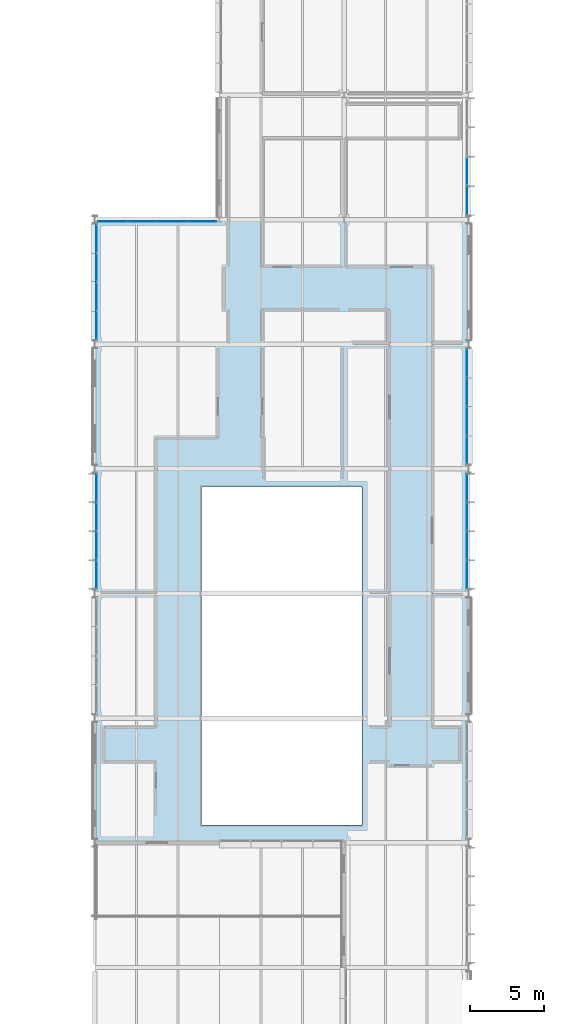
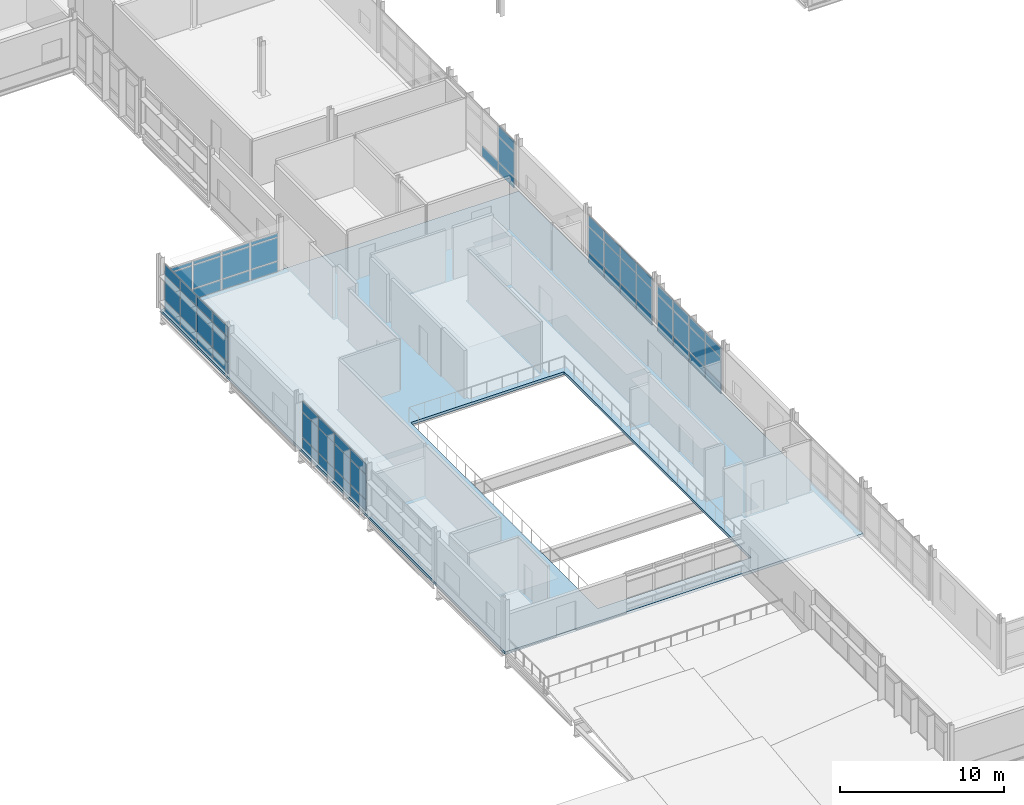
# One storey, part 99 of 131: 64 plates, 1 slab, 6 elements without a shape of their own.
"""IFC4 building model written with IfcOpenShell, lengths in metres."""

from ifc_helpers import new_model, si_unit, direction, frame, origin, origin_2d, place, context, subcontext, project, spatial, polyline, rectangle, outline, extrude, material, layer, layer_set, type_object, element, aggregate, save


model = new_model("IFC4")

# Units and contexts
model_context = context("Model", 3, precision=1e-05, world=origin(), true_north=direction((0.0, 1.0)))
body_context = subcontext(model_context, "Body", "Model", "MODEL_VIEW")
ifc_project = project(units=[si_unit("LENGTHUNIT", "METRE"), si_unit("AREAUNIT", "SQUARE_METRE"), si_unit("VOLUMEUNIT", "CUBIC_METRE"), si_unit("PLANEANGLEUNIT", "RADIAN"), si_unit("MASSUNIT", "GRAM", prefix="KILO")], contexts=[model_context])

# Site, building, storey
site_placement = place(None, origin())
site = spatial("IfcSite", under=ifc_project, at=site_placement, CompositionType="ELEMENT")
building_placement = place(site_placement, origin())
building = spatial("IfcBuilding", under=site, at=building_placement, Name="Mersafa Astral City Hall", CompositionType="ELEMENT")
storey_placement = place(building_placement, frame((0.0, 0.0, 13.949951171875)))
storey = spatial("IfcBuildingStorey", under=building, at=storey_placement, Name="L03", CompositionType="ELEMENT", Elevation=13.949951171875)

# Curtain wall, plates
ifc_material_1 = material(Name="Anodised bronze aluminium framing", Category="aluminium")
curtain_wall_type_1 = type_object("IfcCurtainWallType", Name="ENV-CW-1", PredefinedType="USERDEFINED", material=ifc_material_1)
curtain_wall_1_placement = place(storey_placement, origin())
curtain_wall_1 = element("IfcCurtainWall", 1, at=curtain_wall_1_placement, inside=storey, type_object=curtain_wall_type_1, Name="L03 Unitised solar curtain wall 156", ObjectType="UNITISED CURTAIN WALL", PredefinedType="USERDEFINED")
ifc_material_2 = material(Name="Solar control low-e double glazing", Category="glass")
ifc_layer_1 = layer(ifc_material_2, 0.028076171875, Name="Solar control low-e double glazing")
ifc_layer_set_1 = layer_set([ifc_layer_1], Name="Solar control low-e double glazing — ENV-CW-PNL-GLZ-1")
plate_type_1 = type_object("IfcPlateType", Name="ENV-CW-PNL-GLZ-1", PredefinedType="CURTAIN_PANEL", material=ifc_layer_set_1)
plate_1_placement = place(storey_placement, frame((117.47998046875, 93.692138671875, 0.05810546875), z_axis=(0.0, 0.0, 1.0), x_axis=(0.0, 1.0, 0.0)))
plate_1 = element("IfcPlate", 2, at=plate_1_placement, type_object=plate_type_1, Name="CW-1 panel 1.1", PredefinedType="CURTAIN_PANEL", context=body_context, shape_type="SweptSolid", body=[
    extrude(rectangle(XDim=1.89013671875, YDim=0.028076171875, at=origin_2d()), origin(), (0.0, 0.0, 1.0), 0.761962890625),
])
plate_2_placement = place(storey_placement, frame((117.47998046875, 93.692138671875, 0.8798828125), z_axis=(0.0, 0.0, 1.0), x_axis=(0.0, 1.0, 0.0)))
plate_2 = element("IfcPlate", 3, at=plate_2_placement, type_object=plate_type_1, Name="CW-1 panel 1.2", PredefinedType="CURTAIN_PANEL", context=body_context, shape_type="SweptSolid", body=[
    extrude(rectangle(XDim=1.89013671875, YDim=0.028076171875, at=origin_2d()), origin(), (0.0, 0.0, 1.0), 1.840087890625),
])
plate_3_placement = place(storey_placement, frame((117.47998046875, 93.692138671875, 2.780029296875), z_axis=(0.0, 0.0, 1.0), x_axis=(0.0, 1.0, 0.0)))
plate_3 = element("IfcPlate", 4, at=plate_3_placement, type_object=plate_type_1, Name="CW-1 panel 1.3", PredefinedType="CURTAIN_PANEL", context=body_context, shape_type="SweptSolid", body=[
    extrude(rectangle(XDim=1.89013671875, YDim=0.028076171875, at=origin_2d()), origin(), (0.0, 0.0, 1.0), 0.751953125),
])
plate_4_placement = place(storey_placement, frame((117.47998046875, 95.657470703125, 0.05810546875), z_axis=(0.0, 0.0, 1.0), x_axis=(0.0, 1.0, 0.0)))
plate_4 = element("IfcPlate", 5, at=plate_4_placement, type_object=plate_type_1, Name="CW-1 panel 2.1", PredefinedType="CURTAIN_PANEL", context=body_context, shape_type="SweptSolid", body=[
    extrude(rectangle(XDim=1.920166015625, YDim=0.028076171875, at=origin_2d()), origin(), (0.0, 0.0, 1.0), 0.761962890625),
])
aggregate(curtain_wall_1, [plate_1, plate_2, plate_3, plate_4])

curtain_wall_type_2 = type_object("IfcCurtainWallType", Name="ENV-CW-5", PredefinedType="USERDEFINED", material=ifc_material_1)
curtain_wall_2_placement = place(storey_placement, origin())
curtain_wall_2 = element("IfcCurtainWall", 6, at=curtain_wall_2_placement, inside=storey, type_object=curtain_wall_type_2, Name="L03 Unitised solar curtain wall 184", ObjectType="UNITISED CURTAIN WALL", PredefinedType="USERDEFINED")
plate_5_placement = place(storey_placement, frame((99.613525390625, 92.280029296875, 0.05810546875), z_axis=(0.0, 0.0, 1.0), x_axis=(-1.0, 0.0, 0.0)))
plate_5 = element("IfcPlate", 7, at=plate_5_placement, type_object=plate_type_1, Name="CW-5 panel 1.1", PredefinedType="CURTAIN_PANEL", context=body_context, shape_type="SweptSolid", body=[
    extrude(rectangle(XDim=1.928955078125, YDim=0.028076171875, at=origin_2d()), origin(), (0.0, 0.0, 1.0), 0.761962890625),
])
plate_6_placement = place(storey_placement, frame((99.613525390625, 92.280029296875, 0.8798828125), z_axis=(0.0, 0.0, 1.0), x_axis=(-1.0, 0.0, 0.0)))
plate_6 = element("IfcPlate", 8, at=plate_6_placement, type_object=plate_type_1, Name="CW-5 panel 1.2", PredefinedType="CURTAIN_PANEL", context=body_context, shape_type="SweptSolid", body=[
    extrude(rectangle(XDim=1.928955078125, YDim=0.028076171875, at=origin_2d()), origin(), (0.0, 0.0, 1.0), 1.701904296875),
])
plate_7_placement = place(storey_placement, frame((99.613525390625, 92.280029296875, 2.64208984375), z_axis=(0.0, 0.0, 1.0), x_axis=(-1.0, 0.0, 0.0)))
plate_7 = element("IfcPlate", 9, at=plate_7_placement, type_object=plate_type_1, Name="CW-5 panel 1.3", PredefinedType="CURTAIN_PANEL", context=body_context, shape_type="SweptSolid", body=[
    extrude(rectangle(XDim=1.928955078125, YDim=0.028076171875, at=origin_2d()), origin(), (0.0, 0.0, 1.0), 0.260009765625),
])
plate_8_placement = place(storey_placement, frame((97.609619140625, 92.280029296875, 0.05810546875), z_axis=(0.0, 0.0, 1.0), x_axis=(-1.0, 0.0, 0.0)))
plate_8 = element("IfcPlate", 10, at=plate_8_placement, type_object=plate_type_1, Name="CW-5 panel 2.1", PredefinedType="CURTAIN_PANEL", context=body_context, shape_type="SweptSolid", body=[
    extrude(rectangle(XDim=1.958984375, YDim=0.028076171875, at=origin_2d()), origin(), (0.0, 0.0, 1.0), 0.761962890625),
])
plate_9_placement = place(storey_placement, frame((97.609619140625, 92.280029296875, 0.8798828125), z_axis=(0.0, 0.0, 1.0), x_axis=(-1.0, 0.0, 0.0)))
plate_9 = element("IfcPlate", 11, at=plate_9_placement, type_object=plate_type_1, Name="CW-5 panel 2.2", PredefinedType="CURTAIN_PANEL", context=body_context, shape_type="SweptSolid", body=[
    extrude(rectangle(XDim=1.958984375, YDim=0.028076171875, at=origin_2d()), origin(), (0.0, 0.0, 1.0), 1.701904296875),
])
plate_10_placement = place(storey_placement, frame((97.609619140625, 92.280029296875, 2.64208984375), z_axis=(0.0, 0.0, 1.0), x_axis=(-1.0, 0.0, 0.0)))
plate_10 = element("IfcPlate", 12, at=plate_10_placement, type_object=plate_type_1, Name="CW-5 panel 2.3", PredefinedType="CURTAIN_PANEL", context=body_context, shape_type="SweptSolid", body=[
    extrude(rectangle(XDim=1.958984375, YDim=0.028076171875, at=origin_2d()), origin(), (0.0, 0.0, 1.0), 0.260009765625),
])
plate_11_placement = place(storey_placement, frame((95.590576171875, 92.280029296875, 0.05810546875), z_axis=(0.0, 0.0, 1.0), x_axis=(-1.0, 0.0, 0.0)))
plate_11 = element("IfcPlate", 13, at=plate_11_placement, type_object=plate_type_1, Name="CW-5 panel 3.1", PredefinedType="CURTAIN_PANEL", context=body_context, shape_type="SweptSolid", body=[
    extrude(rectangle(XDim=1.958984375, YDim=0.028076171875, at=origin_2d()), origin(), (0.0, 0.0, 1.0), 0.761962890625),
])
plate_12_placement = place(storey_placement, frame((95.590576171875, 92.280029296875, 0.8798828125), z_axis=(0.0, 0.0, 1.0), x_axis=(-1.0, 0.0, 0.0)))
plate_12 = element("IfcPlate", 14, at=plate_12_placement, type_object=plate_type_1, Name="CW-5 panel 3.2", PredefinedType="CURTAIN_PANEL", context=body_context, shape_type="SweptSolid", body=[
    extrude(rectangle(XDim=1.958984375, YDim=0.028076171875, at=origin_2d()), origin(), (0.0, 0.0, 1.0), 1.701904296875),
])
plate_13_placement = place(storey_placement, frame((95.590576171875, 92.280029296875, 2.64208984375), z_axis=(0.0, 0.0, 1.0), x_axis=(-1.0, 0.0, 0.0)))
plate_13 = element("IfcPlate", 15, at=plate_13_placement, type_object=plate_type_1, Name="CW-5 panel 3.3", PredefinedType="CURTAIN_PANEL", context=body_context, shape_type="SweptSolid", body=[
    extrude(rectangle(XDim=1.958984375, YDim=0.028076171875, at=origin_2d()), origin(), (0.0, 0.0, 1.0), 0.260009765625),
])
plate_14_placement = place(storey_placement, frame((93.58642578125, 92.280029296875, 0.05810546875), z_axis=(0.0, 0.0, 1.0), x_axis=(-1.0, 0.0, 0.0)))
plate_14 = element("IfcPlate", 16, at=plate_14_placement, type_object=plate_type_1, Name="CW-5 panel 4.1", PredefinedType="CURTAIN_PANEL", context=body_context, shape_type="SweptSolid", body=[
    extrude(rectangle(XDim=1.928955078125, YDim=0.028076171875, at=origin_2d()), origin(), (0.0, 0.0, 1.0), 0.761962890625),
])
plate_15_placement = place(storey_placement, frame((93.58642578125, 92.280029296875, 0.8798828125), z_axis=(0.0, 0.0, 1.0), x_axis=(-1.0, 0.0, 0.0)))
plate_15 = element("IfcPlate", 17, at=plate_15_placement, type_object=plate_type_1, Name="CW-5 panel 4.2", PredefinedType="CURTAIN_PANEL", context=body_context, shape_type="SweptSolid", body=[
    extrude(rectangle(XDim=1.928955078125, YDim=0.028076171875, at=origin_2d()), origin(), (0.0, 0.0, 1.0), 1.701904296875),
])
plate_16_placement = place(storey_placement, frame((93.58642578125, 92.280029296875, 2.64208984375), z_axis=(0.0, 0.0, 1.0), x_axis=(-1.0, 0.0, 0.0)))
plate_16 = element("IfcPlate", 18, at=plate_16_placement, type_object=plate_type_1, Name="CW-5 panel 4.3", PredefinedType="CURTAIN_PANEL", context=body_context, shape_type="SweptSolid", body=[
    extrude(rectangle(XDim=1.928955078125, YDim=0.028076171875, at=origin_2d()), origin(), (0.0, 0.0, 1.0), 0.260009765625),
])
aggregate(curtain_wall_2, [plate_5, plate_6, plate_7, plate_8, plate_9, plate_10, plate_11, plate_12, plate_13, plate_14, plate_15, plate_16])

curtain_wall_type_3 = type_object("IfcCurtainWallType", Name="ENV-CW-6", PredefinedType="USERDEFINED", material=ifc_material_1)
curtain_wall_3_placement = place(storey_placement, origin())
curtain_wall_3 = element("IfcCurtainWall", 19, at=curtain_wall_3_placement, inside=storey, type_object=curtain_wall_type_3, Name="L03 Unitised solar curtain wall 185", ObjectType="UNITISED CURTAIN WALL", PredefinedType="USERDEFINED")
ifc_layer_2 = layer(ifc_material_2, 0.031982421875, Name="Solar control low-e double glazing")
ifc_layer_set_2 = layer_set([ifc_layer_2], Name="Solar control low-e double glazing — ENV-CW-PNL-GLZ-2")
plate_type_2 = type_object("IfcPlateType", Name="ENV-CW-PNL-GLZ-2", PredefinedType="CURTAIN_PANEL", material=ifc_layer_set_2)
plate_17_placement = place(storey_placement, frame((92.52001953125, 91.11962890625, 0.05810546875), z_axis=(0.0, 0.0, 1.0), x_axis=(0.0, -1.0, 0.0)))
plate_17 = element("IfcPlate", 20, at=plate_17_placement, type_object=plate_type_2, Name="CW-6 panel 1.1", PredefinedType="CURTAIN_PANEL", context=body_context, shape_type="SweptSolid", body=[
    extrude(rectangle(XDim=1.866455078125, YDim=0.031982421875, at=origin_2d()), origin(), (0.0, 0.0, 1.0), 0.761962890625),
])
plate_18_placement = place(storey_placement, frame((92.52001953125, 91.11962890625, 0.8798828125), z_axis=(0.0, 0.0, 1.0), x_axis=(0.0, -1.0, 0.0)))
plate_18 = element("IfcPlate", 21, at=plate_18_placement, type_object=plate_type_2, Name="CW-6 panel 1.2", PredefinedType="CURTAIN_PANEL", context=body_context, shape_type="SweptSolid", body=[
    extrude(rectangle(XDim=1.866455078125, YDim=0.031982421875, at=origin_2d()), origin(), (0.0, 0.0, 1.0), 1.840087890625),
])
plate_19_placement = place(storey_placement, frame((92.52001953125, 91.11962890625, 2.780029296875), z_axis=(0.0, 0.0, 1.0), x_axis=(0.0, -1.0, 0.0)))
plate_19 = element("IfcPlate", 22, at=plate_19_placement, type_object=plate_type_2, Name="CW-6 panel 1.3", PredefinedType="CURTAIN_PANEL", context=body_context, shape_type="SweptSolid", body=[
    extrude(rectangle(XDim=1.866455078125, YDim=0.031982421875, at=origin_2d()), origin(), (0.0, 0.0, 1.0), 0.751953125),
])
plate_20_placement = place(storey_placement, frame((92.52001953125, 89.17822265625, 0.05810546875), z_axis=(0.0, 0.0, 1.0), x_axis=(0.0, -1.0, 0.0)))
plate_20 = element("IfcPlate", 23, at=plate_20_placement, type_object=plate_type_2, Name="CW-6 panel 2.1", PredefinedType="CURTAIN_PANEL", context=body_context, shape_type="SweptSolid", body=[
    extrude(rectangle(XDim=1.896484375, YDim=0.031982421875, at=origin_2d()), origin(), (0.0, 0.0, 1.0), 0.761962890625),
])
plate_21_placement = place(storey_placement, frame((92.52001953125, 89.17822265625, 0.8798828125), z_axis=(0.0, 0.0, 1.0), x_axis=(0.0, -1.0, 0.0)))
plate_21 = element("IfcPlate", 24, at=plate_21_placement, type_object=plate_type_2, Name="CW-6 panel 2.2", PredefinedType="CURTAIN_PANEL", context=body_context, shape_type="SweptSolid", body=[
    extrude(rectangle(XDim=1.896484375, YDim=0.031982421875, at=origin_2d()), origin(), (0.0, 0.0, 1.0), 1.840087890625),
])
plate_22_placement = place(storey_placement, frame((92.52001953125, 89.17822265625, 2.780029296875), z_axis=(0.0, 0.0, 1.0), x_axis=(0.0, -1.0, 0.0)))
plate_22 = element("IfcPlate", 25, at=plate_22_placement, type_object=plate_type_2, Name="CW-6 panel 2.3", PredefinedType="CURTAIN_PANEL", context=body_context, shape_type="SweptSolid", body=[
    extrude(rectangle(XDim=1.896484375, YDim=0.031982421875, at=origin_2d()), origin(), (0.0, 0.0, 1.0), 0.751953125),
])
plate_23_placement = place(storey_placement, frame((92.52001953125, 87.2216796875, 0.05810546875), z_axis=(0.0, 0.0, 1.0), x_axis=(0.0, -1.0, 0.0)))
plate_23 = element("IfcPlate", 26, at=plate_23_placement, type_object=plate_type_2, Name="CW-6 panel 3.1", PredefinedType="CURTAIN_PANEL", context=body_context, shape_type="SweptSolid", body=[
    extrude(rectangle(XDim=1.896484375, YDim=0.031982421875, at=origin_2d()), origin(), (0.0, 0.0, 1.0), 0.761962890625),
])
plate_24_placement = place(storey_placement, frame((92.52001953125, 87.2216796875, 0.8798828125), z_axis=(0.0, 0.0, 1.0), x_axis=(0.0, -1.0, 0.0)))
plate_24 = element("IfcPlate", 27, at=plate_24_placement, type_object=plate_type_2, Name="CW-6 panel 3.2", PredefinedType="CURTAIN_PANEL", context=body_context, shape_type="SweptSolid", body=[
    extrude(rectangle(XDim=1.896484375, YDim=0.031982421875, at=origin_2d()), origin(), (0.0, 0.0, 1.0), 1.840087890625),
])
plate_25_placement = place(storey_placement, frame((92.52001953125, 87.2216796875, 2.780029296875), z_axis=(0.0, 0.0, 1.0), x_axis=(0.0, -1.0, 0.0)))
plate_25 = element("IfcPlate", 28, at=plate_25_placement, type_object=plate_type_2, Name="CW-6 panel 3.3", PredefinedType="CURTAIN_PANEL", context=body_context, shape_type="SweptSolid", body=[
    extrude(rectangle(XDim=1.896484375, YDim=0.031982421875, at=origin_2d()), origin(), (0.0, 0.0, 1.0), 0.751953125),
])
plate_26_placement = place(storey_placement, frame((92.52001953125, 85.2802734375, 0.05810546875), z_axis=(0.0, 0.0, 1.0), x_axis=(0.0, -1.0, 0.0)))
plate_26 = element("IfcPlate", 29, at=plate_26_placement, type_object=plate_type_2, Name="CW-6 panel 4.1", PredefinedType="CURTAIN_PANEL", context=body_context, shape_type="SweptSolid", body=[
    extrude(rectangle(XDim=1.866455078125, YDim=0.031982421875, at=origin_2d()), origin(), (0.0, 0.0, 1.0), 0.761962890625),
])
plate_27_placement = place(storey_placement, frame((92.52001953125, 85.2802734375, 0.8798828125), z_axis=(0.0, 0.0, 1.0), x_axis=(0.0, -1.0, 0.0)))
plate_27 = element("IfcPlate", 30, at=plate_27_placement, type_object=plate_type_2, Name="CW-6 panel 4.2", PredefinedType="CURTAIN_PANEL", context=body_context, shape_type="SweptSolid", body=[
    extrude(rectangle(XDim=1.866455078125, YDim=0.031982421875, at=origin_2d()), origin(), (0.0, 0.0, 1.0), 1.840087890625),
])
plate_28_placement = place(storey_placement, frame((92.52001953125, 85.2802734375, 2.780029296875), z_axis=(0.0, 0.0, 1.0), x_axis=(0.0, -1.0, 0.0)))
plate_28 = element("IfcPlate", 31, at=plate_28_placement, type_object=plate_type_2, Name="CW-6 panel 4.3", PredefinedType="CURTAIN_PANEL", context=body_context, shape_type="SweptSolid", body=[
    extrude(rectangle(XDim=1.866455078125, YDim=0.031982421875, at=origin_2d()), origin(), (0.0, 0.0, 1.0), 0.751953125),
])
aggregate(curtain_wall_3, [plate_17, plate_18, plate_19, plate_20, plate_21, plate_22, plate_23, plate_24, plate_25, plate_26, plate_27, plate_28])

curtain_wall_4_placement = place(storey_placement, origin())
curtain_wall_4 = element("IfcCurtainWall", 32, at=curtain_wall_4_placement, inside=storey, type_object=curtain_wall_type_2, Name="L03 Unitised solar curtain wall 154", ObjectType="UNITISED CURTAIN WALL", PredefinedType="USERDEFINED")
ifc_layer_3 = layer(ifc_material_2, 0.035888671875, Name="Solar control low-e double glazing")
ifc_layer_set_3 = layer_set([ifc_layer_3], Name="Solar control low-e double glazing — ENV-CW-PNL-GLZ-3")
plate_type_3 = type_object("IfcPlateType", Name="ENV-CW-PNL-GLZ-3", PredefinedType="CURTAIN_PANEL", material=ifc_layer_set_3)
plate_29_placement = place(storey_placement, frame((117.47998046875, 68.480224609375, 0.05810546875), z_axis=(0.0, 0.0, 1.0), x_axis=(0.0, 1.0, 0.0)))
plate_29 = element("IfcPlate", 33, at=plate_29_placement, type_object=plate_type_3, Name="CW-5 panel 1.1", PredefinedType="CURTAIN_PANEL", context=body_context, shape_type="SweptSolid", body=[
    extrude(rectangle(XDim=1.866455078125, YDim=0.035888671875, at=origin_2d()), origin(), (0.0, 0.0, 1.0), 0.761962890625),
])
plate_30_placement = place(storey_placement, frame((117.47998046875, 68.480224609375, 0.8798828125), z_axis=(0.0, 0.0, 1.0), x_axis=(0.0, 1.0, 0.0)))
plate_30 = element("IfcPlate", 34, at=plate_30_placement, type_object=plate_type_3, Name="CW-5 panel 1.2", PredefinedType="CURTAIN_PANEL", context=body_context, shape_type="SweptSolid", body=[
    extrude(rectangle(XDim=1.866455078125, YDim=0.035888671875, at=origin_2d()), origin(), (0.0, 0.0, 1.0), 1.840087890625),
])
plate_31_placement = place(storey_placement, frame((117.47998046875, 68.480224609375, 2.780029296875), z_axis=(0.0, 0.0, 1.0), x_axis=(0.0, 1.0, 0.0)))
plate_31 = element("IfcPlate", 35, at=plate_31_placement, type_object=plate_type_3, Name="CW-5 panel 1.3", PredefinedType="CURTAIN_PANEL", context=body_context, shape_type="SweptSolid", body=[
    extrude(rectangle(XDim=1.866455078125, YDim=0.035888671875, at=origin_2d()), origin(), (0.0, 0.0, 1.0), 0.662109375),
])
plate_32_placement = place(storey_placement, frame((117.47998046875, 70.421630859375, 0.05810546875), z_axis=(0.0, 0.0, 1.0), x_axis=(0.0, 1.0, 0.0)))
plate_32 = element("IfcPlate", 36, at=plate_32_placement, type_object=plate_type_3, Name="CW-5 panel 2.1", PredefinedType="CURTAIN_PANEL", context=body_context, shape_type="SweptSolid", body=[
    extrude(rectangle(XDim=1.896484375, YDim=0.035888671875, at=origin_2d()), origin(), (0.0, 0.0, 1.0), 0.761962890625),
])
plate_33_placement = place(storey_placement, frame((117.47998046875, 70.421630859375, 0.8798828125), z_axis=(0.0, 0.0, 1.0), x_axis=(0.0, 1.0, 0.0)))
plate_33 = element("IfcPlate", 37, at=plate_33_placement, type_object=plate_type_3, Name="CW-5 panel 2.2", PredefinedType="CURTAIN_PANEL", context=body_context, shape_type="SweptSolid", body=[
    extrude(rectangle(XDim=1.896484375, YDim=0.035888671875, at=origin_2d()), origin(), (0.0, 0.0, 1.0), 1.840087890625),
])
plate_34_placement = place(storey_placement, frame((117.47998046875, 70.421630859375, 2.780029296875), z_axis=(0.0, 0.0, 1.0), x_axis=(0.0, 1.0, 0.0)))
plate_34 = element("IfcPlate", 38, at=plate_34_placement, type_object=plate_type_3, Name="CW-5 panel 2.3", PredefinedType="CURTAIN_PANEL", context=body_context, shape_type="SweptSolid", body=[
    extrude(rectangle(XDim=1.896484375, YDim=0.035888671875, at=origin_2d()), origin(), (0.0, 0.0, 1.0), 0.662109375),
])
plate_35_placement = place(storey_placement, frame((117.47998046875, 72.378173828125, 0.05810546875), z_axis=(0.0, 0.0, 1.0), x_axis=(0.0, 1.0, 0.0)))
plate_35 = element("IfcPlate", 39, at=plate_35_placement, type_object=plate_type_3, Name="CW-5 panel 3.1", PredefinedType="CURTAIN_PANEL", context=body_context, shape_type="SweptSolid", body=[
    extrude(rectangle(XDim=1.896484375, YDim=0.035888671875, at=origin_2d()), origin(), (0.0, 0.0, 1.0), 0.761962890625),
])
plate_36_placement = place(storey_placement, frame((117.47998046875, 72.378173828125, 0.8798828125), z_axis=(0.0, 0.0, 1.0), x_axis=(0.0, 1.0, 0.0)))
plate_36 = element("IfcPlate", 40, at=plate_36_placement, type_object=plate_type_3, Name="CW-5 panel 3.2", PredefinedType="CURTAIN_PANEL", context=body_context, shape_type="SweptSolid", body=[
    extrude(rectangle(XDim=1.896484375, YDim=0.035888671875, at=origin_2d()), origin(), (0.0, 0.0, 1.0), 1.840087890625),
])
plate_37_placement = place(storey_placement, frame((117.47998046875, 72.378173828125, 2.780029296875), z_axis=(0.0, 0.0, 1.0), x_axis=(0.0, 1.0, 0.0)))
plate_37 = element("IfcPlate", 41, at=plate_37_placement, type_object=plate_type_3, Name="CW-5 panel 3.3", PredefinedType="CURTAIN_PANEL", context=body_context, shape_type="SweptSolid", body=[
    extrude(rectangle(XDim=1.896484375, YDim=0.035888671875, at=origin_2d()), origin(), (0.0, 0.0, 1.0), 0.662109375),
])
plate_38_placement = place(storey_placement, frame((117.47998046875, 74.31982421875, 0.05810546875), z_axis=(0.0, 0.0, 1.0), x_axis=(0.0, 1.0, 0.0)))
plate_38 = element("IfcPlate", 42, at=plate_38_placement, type_object=plate_type_3, Name="CW-5 panel 4.1", PredefinedType="CURTAIN_PANEL", context=body_context, shape_type="SweptSolid", body=[
    extrude(rectangle(XDim=1.866455078125, YDim=0.035888671875, at=origin_2d()), origin(), (0.0, 0.0, 1.0), 0.761962890625),
])
plate_39_placement = place(storey_placement, frame((117.47998046875, 74.31982421875, 0.8798828125), z_axis=(0.0, 0.0, 1.0), x_axis=(0.0, 1.0, 0.0)))
plate_39 = element("IfcPlate", 43, at=plate_39_placement, type_object=plate_type_3, Name="CW-5 panel 4.2", PredefinedType="CURTAIN_PANEL", context=body_context, shape_type="SweptSolid", body=[
    extrude(rectangle(XDim=1.866455078125, YDim=0.035888671875, at=origin_2d()), origin(), (0.0, 0.0, 1.0), 1.840087890625),
])
plate_40_placement = place(storey_placement, frame((117.47998046875, 74.31982421875, 2.780029296875), z_axis=(0.0, 0.0, 1.0), x_axis=(0.0, 1.0, 0.0)))
plate_40 = element("IfcPlate", 44, at=plate_40_placement, type_object=plate_type_3, Name="CW-5 panel 4.3", PredefinedType="CURTAIN_PANEL", context=body_context, shape_type="SweptSolid", body=[
    extrude(rectangle(XDim=1.866455078125, YDim=0.035888671875, at=origin_2d()), origin(), (0.0, 0.0, 1.0), 0.662109375),
])
aggregate(curtain_wall_4, [plate_29, plate_30, plate_31, plate_32, plate_33, plate_34, plate_35, plate_36, plate_37, plate_38, plate_39, plate_40])

curtain_wall_5_placement = place(storey_placement, origin())
curtain_wall_5 = element("IfcCurtainWall", 45, at=curtain_wall_5_placement, inside=storey, type_object=curtain_wall_type_1, Name="L03 Unitised solar curtain wall 186", ObjectType="UNITISED CURTAIN WALL", PredefinedType="USERDEFINED")
plate_41_placement = place(storey_placement, frame((92.52001953125, 74.31982421875, 0.05810546875), z_axis=(0.0, 0.0, 1.0), x_axis=(0.0, -1.0, 0.0)))
plate_41 = element("IfcPlate", 46, at=plate_41_placement, type_object=plate_type_3, Name="CW-1 panel 1.1", PredefinedType="CURTAIN_PANEL", context=body_context, shape_type="SweptSolid", body=[
    extrude(rectangle(XDim=1.866455078125, YDim=0.035888671875, at=origin_2d()), origin(), (0.0, 0.0, 1.0), 0.761962890625),
])
plate_42_placement = place(storey_placement, frame((92.52001953125, 74.31982421875, 0.8798828125), z_axis=(0.0, 0.0, 1.0), x_axis=(0.0, -1.0, 0.0)))
plate_42 = element("IfcPlate", 47, at=plate_42_placement, type_object=plate_type_3, Name="CW-1 panel 1.2", PredefinedType="CURTAIN_PANEL", context=body_context, shape_type="SweptSolid", body=[
    extrude(rectangle(XDim=1.866455078125, YDim=0.035888671875, at=origin_2d()), origin(), (0.0, 0.0, 1.0), 1.840087890625),
])
plate_43_placement = place(storey_placement, frame((92.52001953125, 74.31982421875, 2.780029296875), z_axis=(0.0, 0.0, 1.0), x_axis=(0.0, -1.0, 0.0)))
plate_43 = element("IfcPlate", 48, at=plate_43_placement, type_object=plate_type_3, Name="CW-1 panel 1.3", PredefinedType="CURTAIN_PANEL", context=body_context, shape_type="SweptSolid", body=[
    extrude(rectangle(XDim=1.866455078125, YDim=0.035888671875, at=origin_2d()), origin(), (0.0, 0.0, 1.0), 0.751953125),
])
plate_44_placement = place(storey_placement, frame((92.52001953125, 72.378173828125, 0.05810546875), z_axis=(0.0, 0.0, 1.0), x_axis=(0.0, -1.0, 0.0)))
plate_44 = element("IfcPlate", 49, at=plate_44_placement, type_object=plate_type_3, Name="CW-1 panel 2.1", PredefinedType="CURTAIN_PANEL", context=body_context, shape_type="SweptSolid", body=[
    extrude(rectangle(XDim=1.896484375, YDim=0.035888671875, at=origin_2d()), origin(), (0.0, 0.0, 1.0), 0.761962890625),
])
plate_45_placement = place(storey_placement, frame((92.52001953125, 72.378173828125, 0.8798828125), z_axis=(0.0, 0.0, 1.0), x_axis=(0.0, -1.0, 0.0)))
plate_45 = element("IfcPlate", 50, at=plate_45_placement, type_object=plate_type_3, Name="CW-1 panel 2.2", PredefinedType="CURTAIN_PANEL", context=body_context, shape_type="SweptSolid", body=[
    extrude(rectangle(XDim=1.896484375, YDim=0.035888671875, at=origin_2d()), origin(), (0.0, 0.0, 1.0), 1.840087890625),
])
plate_46_placement = place(storey_placement, frame((92.52001953125, 72.378173828125, 2.780029296875), z_axis=(0.0, 0.0, 1.0), x_axis=(0.0, -1.0, 0.0)))
plate_46 = element("IfcPlate", 51, at=plate_46_placement, type_object=plate_type_3, Name="CW-1 panel 2.3", PredefinedType="CURTAIN_PANEL", context=body_context, shape_type="SweptSolid", body=[
    extrude(rectangle(XDim=1.896484375, YDim=0.035888671875, at=origin_2d()), origin(), (0.0, 0.0, 1.0), 0.751953125),
])
plate_47_placement = place(storey_placement, frame((92.52001953125, 70.421630859375, 0.05810546875), z_axis=(0.0, 0.0, 1.0), x_axis=(0.0, -1.0, 0.0)))
plate_47 = element("IfcPlate", 52, at=plate_47_placement, type_object=plate_type_3, Name="CW-1 panel 3.1", PredefinedType="CURTAIN_PANEL", context=body_context, shape_type="SweptSolid", body=[
    extrude(rectangle(XDim=1.896484375, YDim=0.035888671875, at=origin_2d()), origin(), (0.0, 0.0, 1.0), 0.761962890625),
])
plate_48_placement = place(storey_placement, frame((92.52001953125, 70.421630859375, 0.8798828125), z_axis=(0.0, 0.0, 1.0), x_axis=(0.0, -1.0, 0.0)))
plate_48 = element("IfcPlate", 53, at=plate_48_placement, type_object=plate_type_3, Name="CW-1 panel 3.2", PredefinedType="CURTAIN_PANEL", context=body_context, shape_type="SweptSolid", body=[
    extrude(rectangle(XDim=1.896484375, YDim=0.035888671875, at=origin_2d()), origin(), (0.0, 0.0, 1.0), 1.840087890625),
])
plate_49_placement = place(storey_placement, frame((92.52001953125, 70.421630859375, 2.780029296875), z_axis=(0.0, 0.0, 1.0), x_axis=(0.0, -1.0, 0.0)))
plate_49 = element("IfcPlate", 54, at=plate_49_placement, type_object=plate_type_3, Name="CW-1 panel 3.3", PredefinedType="CURTAIN_PANEL", context=body_context, shape_type="SweptSolid", body=[
    extrude(rectangle(XDim=1.896484375, YDim=0.035888671875, at=origin_2d()), origin(), (0.0, 0.0, 1.0), 0.751953125),
])
plate_50_placement = place(storey_placement, frame((92.52001953125, 68.480224609375, 0.05810546875), z_axis=(0.0, 0.0, 1.0), x_axis=(0.0, -1.0, 0.0)))
plate_50 = element("IfcPlate", 55, at=plate_50_placement, type_object=plate_type_3, Name="CW-1 panel 4.1", PredefinedType="CURTAIN_PANEL", context=body_context, shape_type="SweptSolid", body=[
    extrude(rectangle(XDim=1.866455078125, YDim=0.035888671875, at=origin_2d()), origin(), (0.0, 0.0, 1.0), 0.761962890625),
])
plate_51_placement = place(storey_placement, frame((92.52001953125, 68.480224609375, 0.8798828125), z_axis=(0.0, 0.0, 1.0), x_axis=(0.0, -1.0, 0.0)))
plate_51 = element("IfcPlate", 56, at=plate_51_placement, type_object=plate_type_3, Name="CW-1 panel 4.2", PredefinedType="CURTAIN_PANEL", context=body_context, shape_type="SweptSolid", body=[
    extrude(rectangle(XDim=1.866455078125, YDim=0.035888671875, at=origin_2d()), origin(), (0.0, 0.0, 1.0), 1.840087890625),
])
plate_52_placement = place(storey_placement, frame((92.52001953125, 68.480224609375, 2.780029296875), z_axis=(0.0, 0.0, 1.0), x_axis=(0.0, -1.0, 0.0)))
plate_52 = element("IfcPlate", 57, at=plate_52_placement, type_object=plate_type_3, Name="CW-1 panel 4.3", PredefinedType="CURTAIN_PANEL", context=body_context, shape_type="SweptSolid", body=[
    extrude(rectangle(XDim=1.866455078125, YDim=0.035888671875, at=origin_2d()), origin(), (0.0, 0.0, 1.0), 0.751953125),
])
aggregate(curtain_wall_5, [plate_41, plate_42, plate_43, plate_44, plate_45, plate_46, plate_47, plate_48, plate_49, plate_50, plate_51, plate_52])

curtain_wall_6_placement = place(storey_placement, origin())
curtain_wall_6 = element("IfcCurtainWall", 58, at=curtain_wall_6_placement, inside=storey, type_object=curtain_wall_type_3, Name="L03 Unitised solar curtain wall 155", ObjectType="UNITISED CURTAIN WALL", PredefinedType="USERDEFINED")
ifc_layer_4 = layer(ifc_material_2, 0.0400390625, Name="Solar control low-e double glazing")
ifc_layer_set_4 = layer_set([ifc_layer_4], Name="Solar control low-e double glazing — ENV-CW-PNL-GLZ-4")
plate_type_4 = type_object("IfcPlateType", Name="ENV-CW-PNL-GLZ-4", PredefinedType="CURTAIN_PANEL", material=ifc_layer_set_4)
plate_53_placement = place(storey_placement, frame((117.47998046875, 76.88037109375, 0.05810546875), z_axis=(0.0, 0.0, 1.0), x_axis=(0.0, 1.0, 0.0)))
plate_53 = element("IfcPlate", 59, at=plate_53_placement, type_object=plate_type_4, Name="CW-6 panel 1.1", PredefinedType="CURTAIN_PANEL", context=body_context, shape_type="SweptSolid", body=[
    extrude(rectangle(XDim=1.866455078125, YDim=0.0400390625, at=origin_2d()), origin(), (0.0, 0.0, 1.0), 0.761962890625),
])
plate_54_placement = place(storey_placement, frame((117.47998046875, 76.88037109375, 0.8798828125), z_axis=(0.0, 0.0, 1.0), x_axis=(0.0, 1.0, 0.0)))
plate_54 = element("IfcPlate", 60, at=plate_54_placement, type_object=plate_type_4, Name="CW-6 panel 1.2", PredefinedType="CURTAIN_PANEL", context=body_context, shape_type="SweptSolid", body=[
    extrude(rectangle(XDim=1.866455078125, YDim=0.0400390625, at=origin_2d()), origin(), (0.0, 0.0, 1.0), 1.840087890625),
])
plate_55_placement = place(storey_placement, frame((117.47998046875, 76.88037109375, 2.780029296875), z_axis=(0.0, 0.0, 1.0), x_axis=(0.0, 1.0, 0.0)))
plate_55 = element("IfcPlate", 61, at=plate_55_placement, type_object=plate_type_4, Name="CW-6 panel 1.3", PredefinedType="CURTAIN_PANEL", context=body_context, shape_type="SweptSolid", body=[
    extrude(rectangle(XDim=1.866455078125, YDim=0.0400390625, at=origin_2d()), origin(), (0.0, 0.0, 1.0), 0.751953125),
])
plate_56_placement = place(storey_placement, frame((117.47998046875, 78.82177734375, 0.05810546875), z_axis=(0.0, 0.0, 1.0), x_axis=(0.0, 1.0, 0.0)))
plate_56 = element("IfcPlate", 62, at=plate_56_placement, type_object=plate_type_4, Name="CW-6 panel 2.1", PredefinedType="CURTAIN_PANEL", context=body_context, shape_type="SweptSolid", body=[
    extrude(rectangle(XDim=1.896484375, YDim=0.0400390625, at=origin_2d()), origin(), (0.0, 0.0, 1.0), 0.761962890625),
])
plate_57_placement = place(storey_placement, frame((117.47998046875, 78.82177734375, 0.8798828125), z_axis=(0.0, 0.0, 1.0), x_axis=(0.0, 1.0, 0.0)))
plate_57 = element("IfcPlate", 63, at=plate_57_placement, type_object=plate_type_4, Name="CW-6 panel 2.2", PredefinedType="CURTAIN_PANEL", context=body_context, shape_type="SweptSolid", body=[
    extrude(rectangle(XDim=1.896484375, YDim=0.0400390625, at=origin_2d()), origin(), (0.0, 0.0, 1.0), 1.840087890625),
])
plate_58_placement = place(storey_placement, frame((117.47998046875, 78.82177734375, 2.780029296875), z_axis=(0.0, 0.0, 1.0), x_axis=(0.0, 1.0, 0.0)))
plate_58 = element("IfcPlate", 64, at=plate_58_placement, type_object=plate_type_4, Name="CW-6 panel 2.3", PredefinedType="CURTAIN_PANEL", context=body_context, shape_type="SweptSolid", body=[
    extrude(rectangle(XDim=1.896484375, YDim=0.0400390625, at=origin_2d()), origin(), (0.0, 0.0, 1.0), 0.751953125),
])
plate_59_placement = place(storey_placement, frame((117.47998046875, 80.7783203125, 0.05810546875), z_axis=(0.0, 0.0, 1.0), x_axis=(0.0, 1.0, 0.0)))
plate_59 = element("IfcPlate", 65, at=plate_59_placement, type_object=plate_type_4, Name="CW-6 panel 3.1", PredefinedType="CURTAIN_PANEL", context=body_context, shape_type="SweptSolid", body=[
    extrude(rectangle(XDim=1.896484375, YDim=0.0400390625, at=origin_2d()), origin(), (0.0, 0.0, 1.0), 0.761962890625),
])
plate_60_placement = place(storey_placement, frame((117.47998046875, 80.7783203125, 0.8798828125), z_axis=(0.0, 0.0, 1.0), x_axis=(0.0, 1.0, 0.0)))
plate_60 = element("IfcPlate", 66, at=plate_60_placement, type_object=plate_type_4, Name="CW-6 panel 3.2", PredefinedType="CURTAIN_PANEL", context=body_context, shape_type="SweptSolid", body=[
    extrude(rectangle(XDim=1.896484375, YDim=0.0400390625, at=origin_2d()), origin(), (0.0, 0.0, 1.0), 1.840087890625),
])
plate_61_placement = place(storey_placement, frame((117.47998046875, 80.7783203125, 2.780029296875), z_axis=(0.0, 0.0, 1.0), x_axis=(0.0, 1.0, 0.0)))
plate_61 = element("IfcPlate", 67, at=plate_61_placement, type_object=plate_type_4, Name="CW-6 panel 3.3", PredefinedType="CURTAIN_PANEL", context=body_context, shape_type="SweptSolid", body=[
    extrude(rectangle(XDim=1.896484375, YDim=0.0400390625, at=origin_2d()), origin(), (0.0, 0.0, 1.0), 0.751953125),
])
plate_62_placement = place(storey_placement, frame((117.47998046875, 82.7197265625, 0.05810546875), z_axis=(0.0, 0.0, 1.0), x_axis=(0.0, 1.0, 0.0)))
plate_62 = element("IfcPlate", 68, at=plate_62_placement, type_object=plate_type_4, Name="CW-6 panel 4.1", PredefinedType="CURTAIN_PANEL", context=body_context, shape_type="SweptSolid", body=[
    extrude(rectangle(XDim=1.866455078125, YDim=0.0400390625, at=origin_2d()), origin(), (0.0, 0.0, 1.0), 0.761962890625),
])
plate_63_placement = place(storey_placement, frame((117.47998046875, 82.7197265625, 0.8798828125), z_axis=(0.0, 0.0, 1.0), x_axis=(0.0, 1.0, 0.0)))
plate_63 = element("IfcPlate", 69, at=plate_63_placement, type_object=plate_type_4, Name="CW-6 panel 4.2", PredefinedType="CURTAIN_PANEL", context=body_context, shape_type="SweptSolid", body=[
    extrude(rectangle(XDim=1.866455078125, YDim=0.0400390625, at=origin_2d()), origin(), (0.0, 0.0, 1.0), 1.840087890625),
])
plate_64_placement = place(storey_placement, frame((117.47998046875, 82.7197265625, 2.780029296875), z_axis=(0.0, 0.0, 1.0), x_axis=(0.0, 1.0, 0.0)))
plate_64 = element("IfcPlate", 70, at=plate_64_placement, type_object=plate_type_4, Name="CW-6 panel 4.3", PredefinedType="CURTAIN_PANEL", context=body_context, shape_type="SweptSolid", body=[
    extrude(rectangle(XDim=1.866455078125, YDim=0.0400390625, at=origin_2d()), origin(), (0.0, 0.0, 1.0), 0.751953125),
])
aggregate(curtain_wall_6, [plate_53, plate_54, plate_55, plate_56, plate_57, plate_58, plate_59, plate_60, plate_61, plate_62, plate_63, plate_64])

# Slab
ifc_material_3 = material(Name="Concrete C35/45", Category="concrete")
ifc_layer_5 = layer(ifc_material_3, 0.199951171875, Name="Concrete C35/45")
ifc_layer_set_5 = layer_set([ifc_layer_5], Name="Concrete C35/45 — STR-SLAB-FLR-200")
slab_type = type_object("IfcSlabType", Name="STR-SLAB-FLR-200", PredefinedType="FLOOR", material=ifc_layer_set_5)
slab_placement = place(storey_placement, frame((0.0, 0.0, -0.199951171875)))
element("IfcSlab", 71, at=slab_placement, inside=storey, type_object=slab_type, Name="L03 V2 structural floor slab 1", PredefinedType="FLOOR", context=body_context, shape_type="SweptSolid", body=[
    extrude(outline(polyline([(92.39990234375, 75.60009765625), (92.39990234375, 84.0), (92.39990234375, 92.39990234375), (100.800048828125, 92.39990234375), (109.199951171875, 92.39990234375), (117.60009765625, 92.39990234375), (117.60009765625, 84.0), (117.60009765625, 75.60009765625), (117.60009765625, 67.199951171875), (117.60009765625, 58.800048828125), (117.60009765625, 50.39990234375), (109.199951171875, 50.39990234375), (100.800048828125, 50.39990234375), (92.39990234375, 50.39990234375), (92.39990234375, 58.800048828125), (92.39990234375, 67.199951171875), (92.39990234375, 75.60009765625)]), holes=[polyline([(110.39990234375, 51.60009765625), (110.39990234375, 74.39990234375), (99.60009765625, 74.39990234375), (99.60009765625, 51.60009765625), (110.39990234375, 51.60009765625)])]), origin(), (0.0, 0.0, 1.0), 0.199951171875),
])

save(model, "model.ifc")
